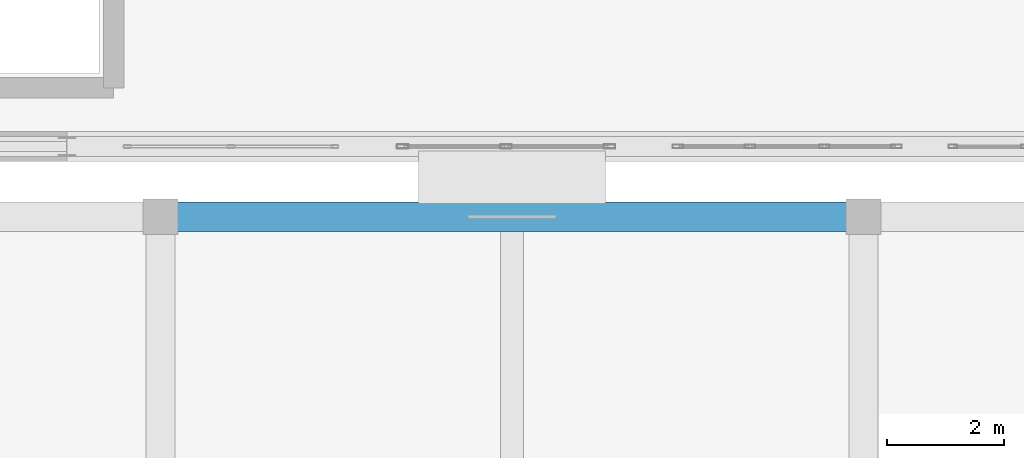
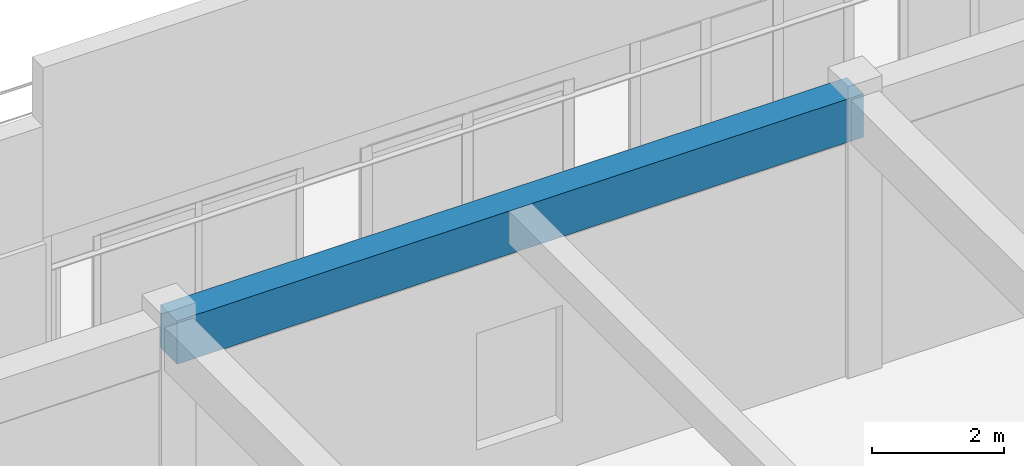
# One storey, part 101 of 197: 1 beam.
"""IFC4 building model written with IfcOpenShell, lengths in metres."""

from ifc_helpers import new_model, si_unit, derived_unit, direction, frame, origin, origin_2d, place, context, subcontext, project, spatial, rectangle, extrude, material, material_profile, profile_set, type_object, element, save


model = new_model("IFC4")

# Units and contexts
model_context = context("Model", 3, precision=1e-05, world=origin(), true_north=direction((0.0, 1.0)))
body_context = subcontext(model_context, "Body", "Model", "MODEL_VIEW")
ifc_project = project(units=[si_unit("LENGTHUNIT", "METRE"), si_unit("AREAUNIT", "SQUARE_METRE"), si_unit("VOLUMEUNIT", "CUBIC_METRE"), si_unit("PLANEANGLEUNIT", "RADIAN"), si_unit("MASSUNIT", "GRAM", prefix="KILO"), derived_unit("THERMALTRANSMITTANCEUNIT", [(si_unit("POWERUNIT", "WATT"), 1), (si_unit("LENGTHUNIT", "METRE"), -2), (si_unit("THERMODYNAMICTEMPERATUREUNIT", "KELVIN"), -1)])], contexts=[model_context])

# Site, building, storey
site_placement = place(None, origin())
site = spatial("IfcSite", under=ifc_project, at=site_placement, CompositionType="ELEMENT")
building_placement = place(site_placement, origin())
building = spatial("IfcBuilding", under=site, at=building_placement, Name="Almenara Railside Exhibition Hall", CompositionType="ELEMENT")
storey_placement = place(building_placement, frame((0.0, 0.0, 5.39990234375)))
storey = spatial("IfcBuildingStorey", under=building, at=storey_placement, Name="L01", CompositionType="ELEMENT", Elevation=5.39990234375)

# Beam
ifc_material = material(Name="Concrete C35/45", Category="concrete")
ifc_material_profile = material_profile(ifc_material, rectangle(XDim=0.5, YDim=0.800048828125, at=origin_2d()), Name="RC 500x800")
ifc_profile_set = profile_set([ifc_material_profile], Name="Concrete C35/45")
beam_type = type_object("IfcBeamType", Name="RC Primary Beam 500x800 C35/45", PredefinedType="BEAM", material=ifc_profile_set)
beam_placement = place(storey_placement, frame((150.0, 32.800048828125, 4.736083984375), z_axis=(1.0, 0.0, 0.0), x_axis=(0.0, 1.0, 0.0)))
element("IfcBeam", 1, at=beam_placement, inside=storey, type_object=beam_type, Name="Beam 0195", PredefinedType="BEAM", context=body_context, shape_type="SweptSolid", body=[
    extrude(rectangle(XDim=0.5, YDim=0.800048828125, at=origin_2d()), origin(), (0.0, 0.0, 1.0), 12.0),
])

save(model, "model.ifc")
